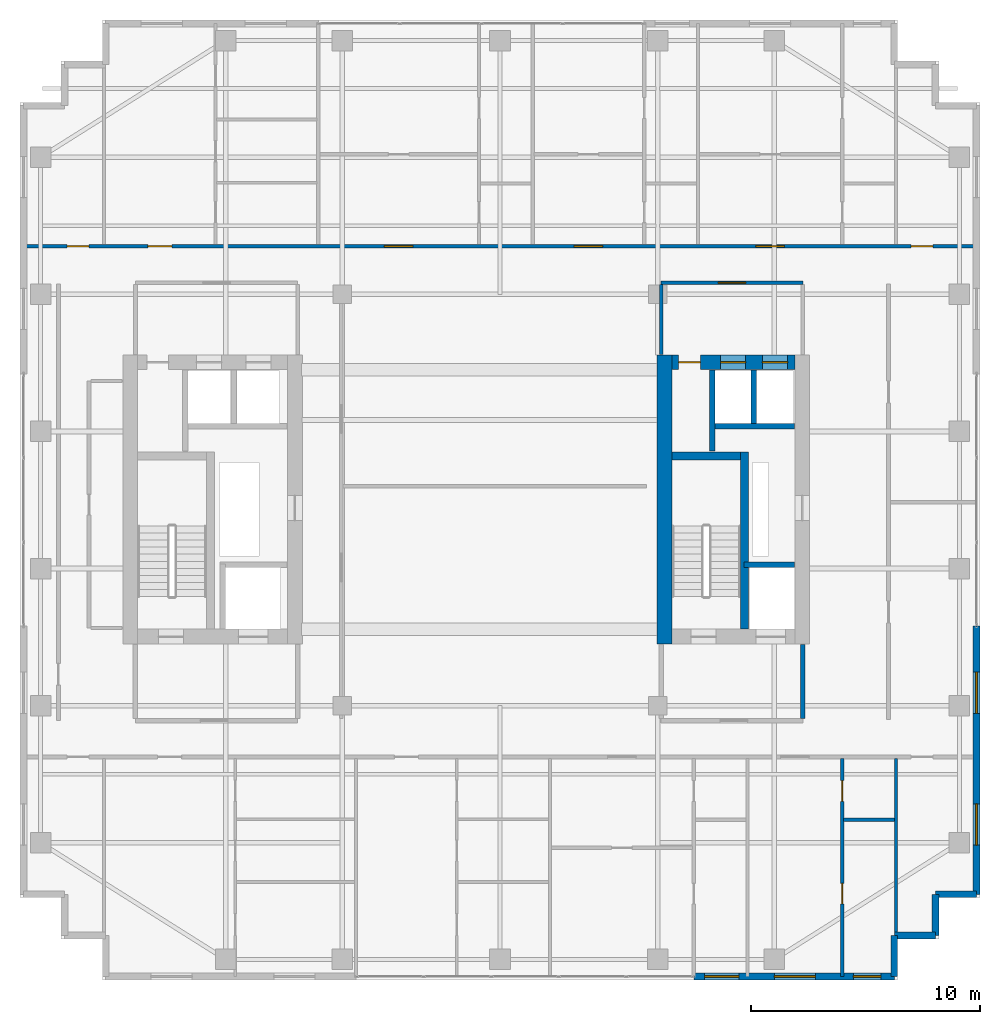
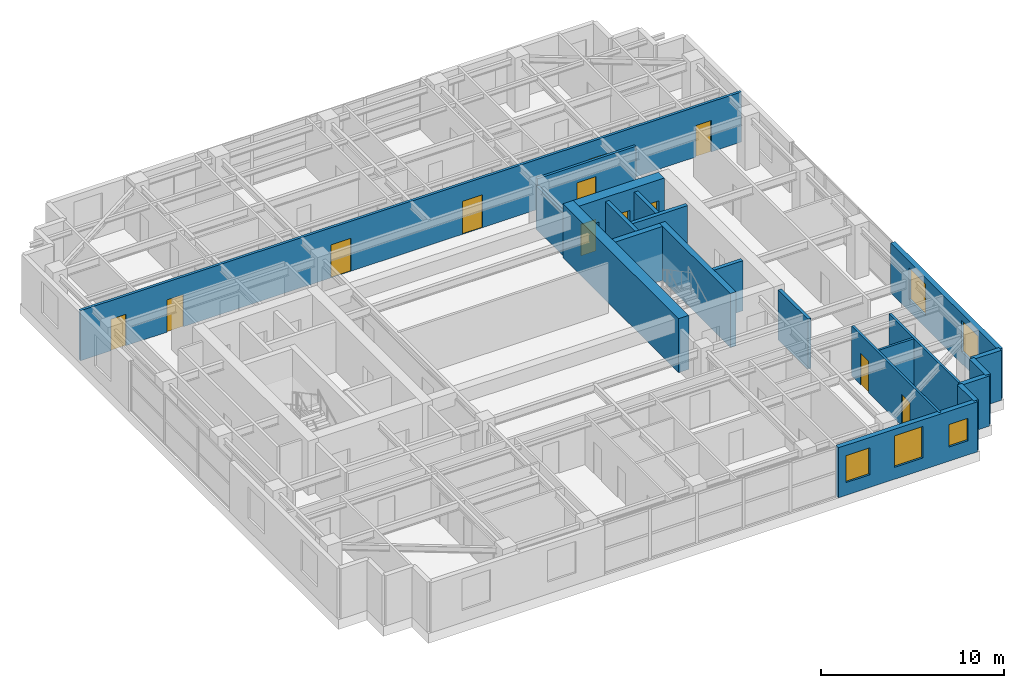
# One storey, part 21 of 24: 21 walls, 12 doors, 5 windows, 17 openings.
"""IFC4 building model written with IfcOpenShell, lengths in metres."""

from ifc_helpers import new_model, si_unit, direction, frame, frame_2d, origin, place, context, subcontext, project, spatial, rectangle, extrude, source, transform, mapped, material, layer, layer_set, type_object, element, fill, save


model = new_model("IFC4")

# Units and contexts
model_context = context("Model", 3, precision=1e-05, world=origin(), true_north=direction((0.0, 1.0)))
body_context = subcontext(model_context, "Body", "Model", "MODEL_VIEW")
ifc_project = project(units=[si_unit("LENGTHUNIT", "METRE"), si_unit("AREAUNIT", "SQUARE_METRE"), si_unit("VOLUMEUNIT", "CUBIC_METRE"), si_unit("PLANEANGLEUNIT", "RADIAN"), si_unit("MASSUNIT", "GRAM", prefix="KILO")], contexts=[model_context])

# Site, building, storey
site_placement = place(None, origin())
site = spatial("IfcSite", under=ifc_project, at=site_placement, CompositionType="ELEMENT")
building_placement = place(site_placement, origin())
building = spatial("IfcBuilding", under=site, at=building_placement, Name="Khoralis Quay Care Tower", CompositionType="ELEMENT")
storey_placement = place(building_placement, frame((0.0, 0.0, 155.699951171875)))
storey = spatial("IfcBuildingStorey", under=building, at=storey_placement, Name="L40", CompositionType="ELEMENT", Elevation=155.699951171875)

# Walls
ifc_material_1 = material(Name="Gypsum plasterboard on acoustic metal stud")
ifc_layer_1 = layer(ifc_material_1, 0.199951171875)
ifc_layer_set_1 = layer_set([ifc_layer_1], Name="Gypsum plasterboard on acoustic metal stud")
wall_type_1 = type_object("IfcWallType", Name="WL-COMP-200", PredefinedType="PARTITIONING", material=ifc_layer_set_1)
wall_1_placement = place(storey_placement, frame((37.25, 11.445068359375, 0.0), z_axis=(0.0, 0.0, 1.0), x_axis=(0.0, 1.0, 0.0)))
element("IfcWall", 1, at=wall_1_placement, inside=storey, type_object=wall_type_1, Name="L40 East Firefighting Lobby East Wall", PredefinedType="PARTITIONING", context=body_context, shape_type="SweptSolid", body=[
    extrude(rectangle(XDim=3.23486328125, YDim=0.199951171875, at=frame_2d((1.617431640625, 0.0))), origin(), (0.0, 0.0, 1.0), 3.340087890625),
])
ifc_material_2 = material(Name="Concrete C65/80", Category="concrete")
ifc_layer_2 = layer(ifc_material_2, 0.64990234375)
ifc_layer_set_2 = layer_set([ifc_layer_2], Name="Concrete C65/80")
wall_type_2 = type_object("IfcWallType", Name="WL-CORE-650", PredefinedType="SHEAR", material=ifc_layer_set_2)
wall_2_placement = place(storey_placement, frame((31.195068359375, 14.699951171875, 0.0), z_axis=(0.0, 0.0, 1.0), x_axis=(0.0, 1.0, 0.0)))
element("IfcWall", 2, at=wall_2_placement, inside=storey, type_object=wall_type_2, Name="L40 ECORE West Shear Wall", PredefinedType="SHEAR", context=body_context, shape_type="SweptSolid", body=[
    extrude(rectangle(XDim=12.650146484375, YDim=0.64990234375, at=frame_2d((6.3251953125, 0.0))), origin(), (0.0, 0.0, 1.0), 3.60009765625),
])

# Wall, openings, doors
wall_3_placement = place(storey_placement, frame((31.52001953125, 27.02490234375, 0.0), z_axis=(0.0, 0.0, 1.0), x_axis=(1.0, 0.0, 0.0)))
wall_3 = element("IfcWall", 3, at=wall_3_placement, inside=storey, type_object=wall_type_2, Name="L40 ECORE North Shear Wall", PredefinedType="SHEAR", context=body_context, shape_type="SweptSolid", body=[
    extrude(rectangle(XDim=5.3798828125, YDim=0.64990234375, at=frame_2d((2.68994140625, 0.0))), origin(), (0.0, 0.0, 1.0), 3.60009765625),
])
opening_1_placement = place(wall_3_placement, frame((0.300048828125, 0.0, 0.0)))
opening_1 = element("IfcOpeningElement", 4, at=opening_1_placement, cuts=wall_3, Name="Opening ID1", PredefinedType="OPENING", context=body_context, shape_type="SweptSolid", body=[
    extrude(rectangle(XDim=0.949951171875, YDim=2.10009765625, at=frame_2d((0.47509765625, 1.050048828125))), frame((0.0, 0.3349609375, 0.0), z_axis=(0.0, -1.0, 0.0), x_axis=(1.0, 0.0, 0.0)), (0.0, 0.0, 1.0), 0.669921875),
])
opening_2_placement = place(wall_3_placement, frame((2.1298828125, 0.0, 0.0)))
opening_2 = element("IfcOpeningElement", 5, at=opening_2_placement, cuts=wall_3, Name="Opening LD1", PredefinedType="OPENING", context=body_context, shape_type="SweptSolid", body=[
    extrude(rectangle(XDim=1.10009765625, YDim=2.199951171875, at=frame_2d((0.550048828125, 1.10009765625))), frame((0.0, 0.3349609375, 0.0), z_axis=(0.0, -1.0, 0.0), x_axis=(1.0, 0.0, 0.0)), (0.0, 0.0, 1.0), 0.669921875),
])
opening_3_placement = place(wall_3_placement, frame((3.9599609375, 0.0, 0.0)))
opening_3 = element("IfcOpeningElement", 6, at=opening_3_placement, cuts=wall_3, Name="Opening LD1", PredefinedType="OPENING", context=body_context, shape_type="SweptSolid", body=[
    extrude(rectangle(XDim=1.10009765625, YDim=2.199951171875, at=frame_2d((0.550048828125, 1.10009765625))), frame((0.0, 0.3349609375, 0.0), z_axis=(0.0, -1.0, 0.0), x_axis=(1.0, 0.0, 0.0)), (0.0, 0.0, 1.0), 0.669921875),
])
ifc_material_3 = material(Name="Brushed stainless steel", Category="steel")
door_type_1 = type_object("IfcDoorType", Name="DR-LIFT-1100X2200", OperationType="SLIDING_TO_LEFT", PredefinedType="DOOR", material=ifc_material_3)
shared_shape_1 = source(origin(), body_context, "Body", "SweptSolid", [
    extrude(rectangle(XDim=1.10009765625, YDim=2.199951171875, at=frame_2d((0.550048828125, 1.10009765625))), frame((0.0, 0.02490234375, 0.0), z_axis=(0.0, -1.0, 0.0), x_axis=(1.0, 0.0, 0.0)), (0.0, 0.0, 1.0), 0.050048828125),
])
door_1_placement = place(opening_2_placement, origin())
door_1 = element("IfcDoor", 7, at=door_1_placement, inside=storey, type_object=door_type_1, Name="L40 Lift PLM2 Landing Door", OperationType="SLIDING_TO_LEFT", OverallHeight=2.199951171875, OverallWidth=1.10009765625, PredefinedType="DOOR", context=body_context, shape_type="MappedRepresentation", body=[
    mapped(shared_shape_1, transform((0.0, 0.0, 0.0), scale=1.0)),
])
fill(opening_2, door_1)
door_2_placement = place(opening_3_placement, origin())
door_2 = element("IfcDoor", 8, at=door_2_placement, inside=storey, type_object=door_type_1, Name="L40 Lift PLH2 Landing Door", OperationType="SLIDING_TO_LEFT", OverallHeight=2.199951171875, OverallWidth=1.10009765625, PredefinedType="DOOR", context=body_context, shape_type="MappedRepresentation", body=[
    mapped(shared_shape_1, transform((0.0, 0.0, 0.0), scale=1.0)),
])
fill(opening_3, door_2)
ifc_material_4 = material(Name="Acoustic hardwood timber", Category="wood")
door_type_2 = type_object("IfcDoorType", Name="DR-ROOM-950X2100", OperationType="NOTDEFINED", PredefinedType="DOOR", material=ifc_material_4)
shared_shape_2 = source(origin(), body_context, "Body", "SweptSolid", [
    extrude(rectangle(XDim=0.949951171875, YDim=2.10009765625, at=frame_2d((0.47509765625, 1.050048828125))), frame((0.0, 0.02490234375, 0.0), z_axis=(0.0, -1.0, 0.0), x_axis=(1.0, 0.0, 0.0)), (0.0, 0.0, 1.0), 0.050048828125),
])
door_3_placement = place(opening_1_placement, frame((0.949951171875, 0.0, 0.0), z_axis=(0.0, 0.0, 1.0), x_axis=(-1.0, 0.0, 0.0)))
door_3 = element("IfcDoor", 9, at=door_3_placement, inside=storey, type_object=door_type_2, Name="L40 Nutrition Pantry Door", OperationType="SINGLE_SWING_LEFT", OverallHeight=2.10009765625, OverallWidth=0.949951171875, PredefinedType="DOOR", context=body_context, shape_type="MappedRepresentation", body=[
    mapped(shared_shape_2, transform((0.0, 0.0, 0.0), scale=1.0)),
])
fill(opening_1, door_3)

# Wall, opening, door
ifc_layer_3 = layer(ifc_material_1, 0.1650390625)
ifc_layer_set_3 = layer_set([ifc_layer_3], Name="Gypsum plasterboard on acoustic metal stud")
wall_type_3 = type_object("IfcWallType", Name="WL-CORR-165", PredefinedType="PARTITIONING", material=ifc_layer_set_3)
wall_4_placement = place(storey_placement, frame((31.050048828125, 30.5, 0.0), z_axis=(0.0, 0.0, 1.0), x_axis=(1.0, 0.0, 0.0)))
wall_4 = element("IfcWall", 10, at=wall_4_placement, inside=storey, type_object=wall_type_3, Name="L40 East Lift Lobby North Wall", PredefinedType="PARTITIONING", context=body_context, shape_type="SweptSolid", body=[
    extrude(rectangle(XDim=6.199951171875, YDim=0.1650390625, at=frame_2d((3.10009765625, 0.0))), origin(), (0.0, 0.0, 1.0), 3.340087890625),
])
opening_4_placement = place(wall_4_placement, frame((2.5, 0.0, 0.0)))
opening_4 = element("IfcOpeningElement", 11, at=opening_4_placement, cuts=wall_4, Name="Opening FD1", PredefinedType="OPENING", context=body_context, shape_type="SweptSolid", body=[
    extrude(rectangle(XDim=1.199951171875, YDim=2.199951171875, at=frame_2d((0.60009765625, 1.10009765625))), frame((0.0, 0.092529296875, 0.0), z_axis=(0.0, -1.0, 0.0), x_axis=(1.0, 0.0, 0.0)), (0.0, 0.0, 1.0), 0.18505859375),
])
ifc_material_5 = material(Name="Fire-rated painted steel", Category="steel")
door_type_3 = type_object("IfcDoorType", Name="DR-FFL-1200X2200", OperationType="NOTDEFINED", PredefinedType="DOOR", material=ifc_material_5)
shared_shape_3 = source(origin(), body_context, "Body", "SweptSolid", [
    extrude(rectangle(XDim=1.199951171875, YDim=2.199951171875, at=frame_2d((0.60009765625, 1.10009765625))), frame((0.0, 0.02490234375, 0.0), z_axis=(0.0, -1.0, 0.0), x_axis=(1.0, 0.0, 0.0)), (0.0, 0.0, 1.0), 0.050048828125),
])
door_4_placement = place(opening_4_placement, origin())
door_4 = element("IfcDoor", 12, at=door_4_placement, inside=storey, type_object=door_type_3, Name="L40 East Lift Lobby Double Door", OperationType="DOUBLE_DOOR_SINGLE_SWING", OverallHeight=2.199951171875, OverallWidth=1.199951171875, PredefinedType="DOOR", context=body_context, shape_type="MappedRepresentation", body=[
    mapped(shared_shape_3, transform((0.0, 0.0, 0.0), scale=1.0)),
])
fill(opening_4, door_4)

# Wall
wall_5_placement = place(storey_placement, frame((31.050048828125, 27.3701171875, 0.0), z_axis=(0.0, 0.0, 1.0), x_axis=(0.0, 1.0, 0.0)))
element("IfcWall", 13, at=wall_5_placement, inside=storey, type_object=wall_type_3, Name="L40 East Lift Lobby West Wall", PredefinedType="PARTITIONING", context=body_context, shape_type="SweptSolid", body=[
    extrude(rectangle(XDim=3.052490234375, YDim=0.1650390625, at=frame_2d((1.5263671875, 0.0))), origin(), (0.0, 0.0, 1.0), 2.876953125),
])

# Wall, openings, doors
wall_6_placement = place(storey_placement, frame((3.14501953125, 32.10009765625, 0.0), z_axis=(0.0, 0.0, 1.0), x_axis=(1.0, 0.0, 0.0)))
wall_6 = element("IfcWall", 14, at=wall_6_placement, inside=storey, type_object=wall_type_3, Name="L40 North Main Corridor Wall", PredefinedType="PARTITIONING", context=body_context, shape_type="SweptSolid", body=[
    extrude(rectangle(XDim=41.7099609375, YDim=0.1650390625, at=frame_2d((20.85498046875, 0.0))), origin(), (0.0, 0.0, 1.0), 3.340087890625),
])
opening_5_placement = place(wall_6_placement, frame((5.446044921875, 0.0, 0.0)))
opening_5 = element("IfcOpeningElement", 15, at=opening_5_placement, cuts=wall_6, Name="Opening UD1", PredefinedType="OPENING", context=body_context, shape_type="SweptSolid", body=[
    extrude(rectangle(XDim=1.050048828125, YDim=2.14990234375, at=frame_2d((0.52490234375, 1.074951171875))), frame((0.0, 0.092529296875, 0.0), z_axis=(0.0, -1.0, 0.0), x_axis=(1.0, 0.0, 0.0)), (0.0, 0.0, 1.0), 0.18505859375),
])
opening_6_placement = place(wall_6_placement, frame((15.794921875, 0.0, 0.0)))
opening_6 = element("IfcOpeningElement", 16, at=opening_6_placement, cuts=wall_6, Name="Opening CD1", PredefinedType="OPENING", context=body_context, shape_type="SweptSolid", body=[
    extrude(rectangle(XDim=1.25, YDim=2.199951171875, at=frame_2d((0.625, 1.10009765625))), frame((0.0, 0.092529296875, 0.0), z_axis=(0.0, -1.0, 0.0), x_axis=(1.0, 0.0, 0.0)), (0.0, 0.0, 1.0), 0.18505859375),
])
opening_7_placement = place(wall_6_placement, frame((24.10009765625, 0.0, 0.0)))
opening_7 = element("IfcOpeningElement", 17, at=opening_7_placement, cuts=wall_6, Name="Opening CD1", PredefinedType="OPENING", context=body_context, shape_type="SweptSolid", body=[
    extrude(rectangle(XDim=1.25, YDim=2.199951171875, at=frame_2d((0.625, 1.10009765625))), frame((0.0, 0.092529296875, 0.0), z_axis=(0.0, -1.0, 0.0), x_axis=(1.0, 0.0, 0.0)), (0.0, 0.0, 1.0), 0.18505859375),
])
opening_8_placement = place(wall_6_placement, frame((32.044921875, 0.0, 0.0)))
opening_8 = element("IfcOpeningElement", 18, at=opening_8_placement, cuts=wall_6, Name="Opening CD1", PredefinedType="OPENING", context=body_context, shape_type="SweptSolid", body=[
    extrude(rectangle(XDim=1.25, YDim=2.199951171875, at=frame_2d((0.625, 1.10009765625))), frame((0.0, 0.092529296875, 0.0), z_axis=(0.0, -1.0, 0.0), x_axis=(1.0, 0.0, 0.0)), (0.0, 0.0, 1.0), 0.18505859375),
])
opening_9_placement = place(wall_6_placement, frame((1.919921875, 0.0, 0.0)))
opening_9 = element("IfcOpeningElement", 19, at=opening_9_placement, cuts=wall_6, Name="Opening ID1", PredefinedType="OPENING", context=body_context, shape_type="SweptSolid", body=[
    extrude(rectangle(XDim=0.949951171875, YDim=2.10009765625, at=frame_2d((0.47509765625, 1.050048828125))), frame((0.0, 0.092529296875, 0.0), z_axis=(0.0, -1.0, 0.0), x_axis=(1.0, 0.0, 0.0)), (0.0, 0.0, 1.0), 0.18505859375),
])
opening_10_placement = place(wall_6_placement, frame((38.840087890625, 0.0, 0.0)))
opening_10 = element("IfcOpeningElement", 20, at=opening_10_placement, cuts=wall_6, Name="Opening ID1", PredefinedType="OPENING", context=body_context, shape_type="SweptSolid", body=[
    extrude(rectangle(XDim=0.949951171875, YDim=2.10009765625, at=frame_2d((0.47509765625, 1.050048828125))), frame((0.0, 0.092529296875, 0.0), z_axis=(0.0, -1.0, 0.0), x_axis=(1.0, 0.0, 0.0)), (0.0, 0.0, 1.0), 0.18505859375),
])
door_type_4 = type_object("IfcDoorType", Name="DR-CARE-1250X2200", OperationType="NOTDEFINED", PredefinedType="DOOR", material=ifc_material_4)
shared_shape_4 = source(origin(), body_context, "Body", "SweptSolid", [
    extrude(rectangle(XDim=1.25, YDim=2.199951171875, at=frame_2d((0.625, 1.10009765625))), frame((0.0, 0.02490234375, 0.0), z_axis=(0.0, -1.0, 0.0), x_axis=(1.0, 0.0, 0.0)), (0.0, 0.0, 1.0), 0.050048828125),
])
door_5_placement = place(opening_6_placement, origin())
door_5 = element("IfcDoor", 21, at=door_5_placement, inside=storey, type_object=door_type_4, Name="L40 Care Suite NB1 Clinical Door", OperationType="SINGLE_SWING_LEFT", OverallHeight=2.199951171875, OverallWidth=1.25, PredefinedType="DOOR", context=body_context, shape_type="MappedRepresentation", body=[
    mapped(shared_shape_4, transform((0.0, 0.0, 0.0), scale=1.0)),
])
fill(opening_6, door_5)
door_6_placement = place(opening_7_placement, origin())
door_6 = element("IfcDoor", 22, at=door_6_placement, inside=storey, type_object=door_type_4, Name="L40 Care Suite NB2 Clinical Door", OperationType="SINGLE_SWING_RIGHT", OverallHeight=2.199951171875, OverallWidth=1.25, PredefinedType="DOOR", context=body_context, shape_type="MappedRepresentation", body=[
    mapped(shared_shape_4, transform((0.0, 0.0, 0.0), scale=1.0)),
])
fill(opening_7, door_6)
door_7_placement = place(opening_8_placement, origin())
door_7 = element("IfcDoor", 23, at=door_7_placement, inside=storey, type_object=door_type_4, Name="L40 Care Suite NB3 Clinical Door", OperationType="SINGLE_SWING_LEFT", OverallHeight=2.199951171875, OverallWidth=1.25, PredefinedType="DOOR", context=body_context, shape_type="MappedRepresentation", body=[
    mapped(shared_shape_4, transform((0.0, 0.0, 0.0), scale=1.0)),
])
fill(opening_8, door_7)
door_8_placement = place(opening_9_placement, origin())
door_8 = element("IfcDoor", 24, at=door_8_placement, inside=storey, type_object=door_type_2, Name="L40 NW Corner Door", OperationType="SINGLE_SWING_RIGHT", OverallHeight=2.10009765625, OverallWidth=0.949951171875, PredefinedType="DOOR", context=body_context, shape_type="MappedRepresentation", body=[
    mapped(shared_shape_2, transform((0.0, 0.0, 0.0), scale=1.0)),
])
fill(opening_9, door_8)
door_9_placement = place(opening_10_placement, origin())
door_9 = element("IfcDoor", 25, at=door_9_placement, inside=storey, type_object=door_type_2, Name="L40 NE Corner Door", OperationType="SINGLE_SWING_LEFT", OverallHeight=2.10009765625, OverallWidth=0.949951171875, PredefinedType="DOOR", context=body_context, shape_type="MappedRepresentation", body=[
    mapped(shared_shape_2, transform((0.0, 0.0, 0.0), scale=1.0)),
])
fill(opening_10, door_9)
door_type_5 = type_object("IfcDoorType", Name="DR-SUITE-1050X2150", OperationType="NOTDEFINED", PredefinedType="DOOR", material=ifc_material_4)
shared_shape_5 = source(origin(), body_context, "Body", "SweptSolid", [
    extrude(rectangle(XDim=1.050048828125, YDim=2.14990234375, at=frame_2d((0.52490234375, 1.074951171875))), frame((0.0, 0.02490234375, 0.0), z_axis=(0.0, -1.0, 0.0), x_axis=(1.0, 0.0, 0.0)), (0.0, 0.0, 1.0), 0.050048828125),
])
door_10_placement = place(opening_5_placement, origin())
door_10 = element("IfcDoor", 26, at=door_10_placement, inside=storey, type_object=door_type_5, Name="L40 Apartment NB0 Entrance Door", OperationType="SINGLE_SWING_RIGHT", OverallHeight=2.14990234375, OverallWidth=1.050048828125, PredefinedType="DOOR", context=body_context, shape_type="MappedRepresentation", body=[
    mapped(shared_shape_5, transform((0.0, 0.0, 0.0), scale=1.0)),
])
fill(opening_5, door_10)

# Wall, openings, windows
ifc_material_6 = material(Name="Precast concrete C45/55", Category="concrete")
ifc_layer_4 = layer(ifc_material_6, 0.300048828125)
ifc_layer_set_4 = layer_set([ifc_layer_4], Name="Precast concrete C45/55")
wall_type_4 = type_object("IfcWallType", Name="WL-EXT-REF-300", PredefinedType="SOLIDWALL", material=ifc_layer_set_4)
wall_7_placement = place(storey_placement, frame((32.47998046875, 0.14990234375, 0.0), z_axis=(0.0, 0.0, 1.0), x_axis=(1.0, 0.0, 0.0)))
wall_7 = element("IfcWall", 27, at=wall_7_placement, inside=storey, type_object=wall_type_4, Name="L40 External Facade Wall WL-EXT-L40-P1-E0B", PredefinedType="SOLIDWALL", context=body_context, shape_type="SweptSolid", body=[
    extrude(rectangle(XDim=8.77001953125, YDim=0.300048828125, at=frame_2d((4.385009765625, 0.0))), origin(), (0.0, 0.0, 1.0), 3.340087890625),
])
opening_11_placement = place(wall_7_placement, frame((0.47509765625, 0.0, 0.85009765625)))
opening_11 = element("IfcOpeningElement", 28, at=opening_11_placement, cuts=wall_7, Name="Opening W3", PredefinedType="OPENING", context=body_context, shape_type="SweptSolid", body=[
    extrude(rectangle(XDim=1.5, YDim=1.800048828125, at=frame_2d((0.75, 0.89990234375))), frame((0.0, 0.16015625, 0.0), z_axis=(0.0, -1.0, 0.0), x_axis=(1.0, 0.0, 0.0)), (0.0, 0.0, 1.0), 0.320068359375),
])
opening_12_placement = place(wall_7_placement, frame((3.52001953125, 0.0, 0.800048828125)))
opening_12 = element("IfcOpeningElement", 29, at=opening_12_placement, cuts=wall_7, Name="Opening W2", PredefinedType="OPENING", context=body_context, shape_type="SweptSolid", body=[
    extrude(rectangle(XDim=1.800048828125, YDim=2.10009765625, at=frame_2d((0.89990234375, 1.050048828125))), frame((0.0, 0.16015625, 0.0), z_axis=(0.0, -1.0, 0.0), x_axis=(1.0, 0.0, 0.0)), (0.0, 0.0, 1.0), 0.320068359375),
])
opening_13_placement = place(wall_7_placement, frame((6.97998046875, 0.0, 0.949951171875)))
opening_13 = element("IfcOpeningElement", 30, at=opening_13_placement, cuts=wall_7, Name="Opening W6", PredefinedType="OPENING", context=body_context, shape_type="SweptSolid", body=[
    extrude(rectangle(XDim=1.199951171875, YDim=1.5, at=frame_2d((0.60009765625, 0.75))), frame((0.0, 0.16015625, 0.0), z_axis=(0.0, -1.0, 0.0), x_axis=(1.0, 0.0, 0.0)), (0.0, 0.0, 1.0), 0.320068359375),
])
ifc_material_7 = material(Name="Low-E solar-control double glazing", Category="glass")
window_type_1 = type_object("IfcWindowType", Name="WN-CLIN-1500X1800", PartitioningType="SINGLE_PANEL", PredefinedType="WINDOW", material=ifc_material_7)
shared_shape_6 = source(origin(), body_context, "Body", "SweptSolid", [
    extrude(rectangle(XDim=1.5, YDim=1.800048828125, at=frame_2d((0.75, 0.89990234375))), frame((0.0, 0.030029296875, 0.0), z_axis=(0.0, -1.0, 0.0), x_axis=(1.0, 0.0, 0.0)), (0.0, 0.0, 1.0), 0.06005859375),
])
window_1_placement = place(opening_11_placement, origin())
window_1 = element("IfcWindow", 31, at=window_1_placement, inside=storey, type_object=window_type_1, Name="WN-L40-P1-E0B Facade Window 01", OverallHeight=1.800048828125, OverallWidth=1.5, PartitioningType="SINGLE_PANEL", PredefinedType="WINDOW", context=body_context, shape_type="MappedRepresentation", body=[
    mapped(shared_shape_6, transform((0.0, 0.0, 0.0), scale=1.0)),
])
fill(opening_11, window_1)
window_type_2 = type_object("IfcWindowType", Name="WN-SCH-1200X1500", PartitioningType="SINGLE_PANEL", PredefinedType="WINDOW", material=ifc_material_7)
shared_shape_7 = source(origin(), body_context, "Body", "SweptSolid", [
    extrude(rectangle(XDim=1.199951171875, YDim=1.5, at=frame_2d((0.60009765625, 0.75))), frame((0.0, 0.030029296875, 0.0), z_axis=(0.0, -1.0, 0.0), x_axis=(1.0, 0.0, 0.0)), (0.0, 0.0, 1.0), 0.06005859375),
])
window_2_placement = place(opening_13_placement, origin())
window_2 = element("IfcWindow", 32, at=window_2_placement, inside=storey, type_object=window_type_2, Name="WN-L40-P1-E0B Facade Window 03", OverallHeight=1.5, OverallWidth=1.199951171875, PartitioningType="SINGLE_PANEL", PredefinedType="WINDOW", context=body_context, shape_type="MappedRepresentation", body=[
    mapped(shared_shape_7, transform((0.0, 0.0, 0.0), scale=1.0)),
])
fill(opening_13, window_2)
window_type_3 = type_object("IfcWindowType", Name="WN-POD-1800X2100", PartitioningType="SINGLE_PANEL", PredefinedType="WINDOW", material=ifc_material_7)
shared_shape_8 = source(origin(), body_context, "Body", "SweptSolid", [
    extrude(rectangle(XDim=1.800048828125, YDim=2.10009765625, at=frame_2d((0.89990234375, 1.050048828125))), frame((0.0, 0.030029296875, 0.0), z_axis=(0.0, -1.0, 0.0), x_axis=(1.0, 0.0, 0.0)), (0.0, 0.0, 1.0), 0.06005859375),
])
window_3_placement = place(opening_12_placement, origin())
window_3 = element("IfcWindow", 33, at=window_3_placement, inside=storey, type_object=window_type_3, Name="WN-L40-P1-E0B Facade Window 02", OverallHeight=2.10009765625, OverallWidth=1.800048828125, PartitioningType="SINGLE_PANEL", PredefinedType="WINDOW", context=body_context, shape_type="MappedRepresentation", body=[
    mapped(shared_shape_8, transform((0.0, 0.0, 0.0), scale=1.0)),
])
fill(opening_12, window_3)

# Walls
for number, where, z_axis, x_axis, name in (
    (34, (41.25, 0.14990234375, 0.0), (0.0, 0.0, 1.0), (0.0, 1.0, 0.0), "L40 External Facade Wall WL-EXT-L40-P1-C1"),
    (35, (41.25, 1.949951171875, 0.0), (0.0, 0.0, 1.0), (1.0, 0.0, 0.0), "L40 External Facade Wall WL-EXT-L40-P1-C2"),
    (36, (43.050048828125, 1.949951171875, 0.0), (0.0, 0.0, 1.0), (0.0, 1.0, 0.0), "L40 External Facade Wall WL-EXT-L40-P1-C3"),
    (37, (43.050048828125, 3.75, 0.0), (0.0, 0.0, 1.0), (1.0, 0.0, 0.0), "L40 External Facade Wall WL-EXT-L40-P1-C4"),
):
    element("IfcWall", number, at=place(storey_placement, frame(where, z_axis=z_axis, x_axis=x_axis)), inside=storey, type_object=wall_type_4, Name=name, PredefinedType="SOLIDWALL", context=body_context, shape_type="SweptSolid", body=[
        extrude(rectangle(XDim=1.800048828125, YDim=0.300048828125, at=frame_2d((0.89990234375, 0.0))), origin(), (0.0, 0.0, 1.0), 3.340087890625),
    ])

# Wall, openings, windows
wall_8_placement = place(storey_placement, frame((44.85009765625, 3.75, 0.0), z_axis=(0.0, 0.0, 1.0), x_axis=(0.0, 1.0, 0.0)))
wall_8 = element("IfcWall", 38, at=wall_8_placement, inside=storey, type_object=wall_type_4, Name="L40 External Facade Wall WL-EXT-L40-P1-E5A", PredefinedType="SOLIDWALL", context=body_context, shape_type="SweptSolid", body=[
    extrude(rectangle(XDim=11.72998046875, YDim=0.300048828125, at=frame_2d((5.864990234375, 0.0))), origin(), (0.0, 0.0, 1.0), 3.340087890625),
])
opening_14_placement = place(wall_8_placement, frame((2.155029296875, 0.0, 0.800048828125)))
opening_14 = element("IfcOpeningElement", 39, at=opening_14_placement, cuts=wall_8, Name="Opening W2", PredefinedType="OPENING", context=body_context, shape_type="SweptSolid", body=[
    extrude(rectangle(XDim=1.800048828125, YDim=2.10009765625, at=frame_2d((0.89990234375, 1.050048828125))), frame((0.0, 0.16015625, 0.0), z_axis=(0.0, -1.0, 0.0), x_axis=(1.0, 0.0, 0.0)), (0.0, 0.0, 1.0), 0.320068359375),
])
opening_15_placement = place(wall_8_placement, frame((7.919921875, 0.0, 0.800048828125)))
opening_15 = element("IfcOpeningElement", 40, at=opening_15_placement, cuts=wall_8, Name="Opening W2", PredefinedType="OPENING", context=body_context, shape_type="SweptSolid", body=[
    extrude(rectangle(XDim=1.800048828125, YDim=2.10009765625, at=frame_2d((0.89990234375, 1.050048828125))), frame((0.0, 0.16015625, 0.0), z_axis=(0.0, -1.0, 0.0), x_axis=(1.0, 0.0, 0.0)), (0.0, 0.0, 1.0), 0.320068359375),
])
window_4_placement = place(opening_14_placement, origin())
window_4 = element("IfcWindow", 41, at=window_4_placement, inside=storey, type_object=window_type_3, Name="WN-L40-P1-E5A Facade Window 01", OverallHeight=2.10009765625, OverallWidth=1.800048828125, PartitioningType="SINGLE_PANEL", PredefinedType="WINDOW", context=body_context, shape_type="MappedRepresentation", body=[
    mapped(shared_shape_8, transform((0.0, 0.0, 0.0), scale=1.0)),
])
fill(opening_14, window_4)
window_5_placement = place(opening_15_placement, origin())
window_5 = element("IfcWindow", 42, at=window_5_placement, inside=storey, type_object=window_type_3, Name="WN-L40-P1-E5A Facade Window 02", OverallHeight=2.10009765625, OverallWidth=1.800048828125, PartitioningType="SINGLE_PANEL", PredefinedType="WINDOW", context=body_context, shape_type="MappedRepresentation", body=[
    mapped(shared_shape_8, transform((0.0, 0.0, 0.0), scale=1.0)),
])
fill(opening_15, window_5)

# Wall, openings, doors
ifc_material_8 = material(Name="Moisture-resistant gypsum and ceramic tile")
ifc_layer_5 = layer(ifc_material_8, 0.280029296875)
ifc_layer_set_5 = layer_set([ifc_layer_5], Name="Moisture-resistant gypsum and ceramic tile")
wall_type_5 = type_object("IfcWallType", Name="WL-PLUMB-280", PredefinedType="PLUMBINGWALL", material=ifc_layer_set_5)
wall_9_placement = place(storey_placement, frame((38.969970703125, 0.14501953125, 0.0), z_axis=(0.0, 0.0, 1.0), x_axis=(0.0, 1.0, 0.0)))
wall_9 = element("IfcWall", 43, at=wall_9_placement, inside=storey, type_object=wall_type_5, Name="L40 Care Suite 3 En-Suite Wall V", PredefinedType="PLUMBINGWALL", context=body_context, shape_type="SweptSolid", body=[
    extrude(rectangle(XDim=9.53759765625, YDim=0.139892578125, at=frame_2d((4.768798828125, 0.0))), origin(), (0.0, 0.0, 1.0), 3.340087890625),
])
opening_16_placement = place(wall_9_placement, frame((7.675048828125, 0.0, 0.0)))
opening_16 = element("IfcOpeningElement", 44, at=opening_16_placement, cuts=wall_9, Name="Opening WD1", PredefinedType="OPENING", context=body_context, shape_type="SweptSolid", body=[
    extrude(rectangle(XDim=0.89990234375, YDim=2.10009765625, at=frame_2d((0.449951171875, 1.050048828125))), frame((0.0, 0.080078125, 0.0), z_axis=(0.0, -1.0, 0.0), x_axis=(1.0, 0.0, 0.0)), (0.0, 0.0, 1.0), 0.159912109375),
])
opening_17_placement = place(wall_9_placement, frame((3.18505859375, 0.0, 0.0)))
opening_17 = element("IfcOpeningElement", 45, at=opening_17_placement, cuts=wall_9, Name="Opening WD1", PredefinedType="OPENING", context=body_context, shape_type="SweptSolid", body=[
    extrude(rectangle(XDim=0.89990234375, YDim=2.10009765625, at=frame_2d((0.449951171875, 1.050048828125))), frame((0.0, 0.080078125, 0.0), z_axis=(0.0, -1.0, 0.0), x_axis=(1.0, 0.0, 0.0)), (0.0, 0.0, 1.0), 0.159912109375),
])
door_type_6 = type_object("IfcDoorType", Name="DR-BATH-900X2100", OperationType="NOTDEFINED", PredefinedType="DOOR", material=ifc_material_4)
shared_shape_9 = source(origin(), body_context, "Body", "SweptSolid", [
    extrude(rectangle(XDim=0.89990234375, YDim=2.10009765625, at=frame_2d((0.449951171875, 1.050048828125))), frame((0.0, 0.02490234375, 0.0), z_axis=(0.0, -1.0, 0.0), x_axis=(1.0, 0.0, 0.0)), (0.0, 0.0, 1.0), 0.050048828125),
])
door_11_placement = place(opening_16_placement, frame((0.89990234375, 0.0, 0.0), z_axis=(0.0, 0.0, 1.0), x_axis=(-1.0, 0.0, 0.0)))
door_11 = element("IfcDoor", 46, at=door_11_placement, inside=storey, type_object=door_type_6, Name="L40 Care CENS Door", OperationType="SINGLE_SWING_RIGHT", OverallHeight=2.10009765625, OverallWidth=0.89990234375, PredefinedType="DOOR", context=body_context, shape_type="MappedRepresentation", body=[
    mapped(shared_shape_9, transform((0.0, 0.0, 0.0), scale=1.0)),
])
fill(opening_16, door_11)
door_12_placement = place(opening_17_placement, frame((0.89990234375, 0.0, 0.0), z_axis=(0.0, 0.0, 1.0), x_axis=(-1.0, 0.0, 0.0)))
door_12 = element("IfcDoor", 47, at=door_12_placement, inside=storey, type_object=door_type_6, Name="L40 Care CSIT Door", OperationType="SINGLE_SWING_LEFT", OverallHeight=2.10009765625, OverallWidth=0.89990234375, PredefinedType="DOOR", context=body_context, shape_type="MappedRepresentation", body=[
    mapped(shared_shape_9, transform((0.0, 0.0, 0.0), scale=1.0)),
])
fill(opening_17, door_12)

# Walls
wall_10_placement = place(storey_placement, frame((39.034912109375, 7.010009765625, 0.0), z_axis=(0.0, 0.0, 1.0), x_axis=(1.0, 0.0, 0.0)))
element("IfcWall", 48, at=wall_10_placement, inside=storey, type_object=wall_type_5, Name="L40 Care Suite 3 En-Suite Wall H", PredefinedType="PLUMBINGWALL", context=body_context, shape_type="SweptSolid", body=[
    extrude(rectangle(XDim=2.219970703125, YDim=0.139892578125, at=frame_2d((1.10986328125, 0.0))), origin(), (0.0, 0.0, 1.0), 3.340087890625),
])
ifc_material_9 = material(Name="Concrete C40/50", Category="concrete")
ifc_layer_6 = layer(ifc_material_9, 0.35009765625)
ifc_layer_set_6 = layer_set([ifc_layer_6], Name="Concrete C40/50")
wall_type_6 = type_object("IfcWallType", Name="WL-SC-CORE-350", PredefinedType="SHEAR", material=ifc_layer_set_6)
wall_11_placement = place(storey_placement, frame((34.695068359375, 15.35009765625, 0.0), z_axis=(0.0, 0.0, 1.0), x_axis=(0.0, 1.0, 0.0)))
element("IfcWall", 49, at=wall_11_placement, inside=storey, type_object=wall_type_6, Name="L40 Stair ST-T2 Shear Baffle Wall East", PredefinedType="SHEAR", context=body_context, shape_type="SweptSolid", body=[
    extrude(rectangle(XDim=7.75, YDim=0.35009765625, at=frame_2d((3.875, 0.0))), origin(), (0.0, 0.0, 1.0), 3.60009765625),
])
wall_12_placement = place(storey_placement, frame((31.52001953125, 22.925048828125, 0.0), z_axis=(0.0, 0.0, 1.0), x_axis=(1.0, 0.0, 0.0)))
element("IfcWall", 50, at=wall_12_placement, inside=storey, type_object=wall_type_6, Name="L40 Stair ST-T2 Shear Baffle Wall North", PredefinedType="SHEAR", context=body_context, shape_type="SweptSolid", body=[
    extrude(rectangle(XDim=3.0, YDim=0.35009765625, at=frame_2d((1.5, 0.0))), origin(), (0.0, 0.0, 1.0), 3.60009765625),
])
ifc_layer_7 = layer(ifc_material_1, 0.239990234375)
ifc_layer_set_7 = layer_set([ifc_layer_7], Name="Gypsum plasterboard on acoustic metal stud")
wall_type_7 = type_object("IfcWallType", Name="WL-SHAFT-240", PredefinedType="PARTITIONING", material=ifc_layer_set_7)
wall_13_placement = place(storey_placement, frame((34.679931640625, 18.169921875, 0.0), z_axis=(0.0, 0.0, 1.0), x_axis=(1.0, 0.0, 0.0)))
element("IfcWall", 51, at=wall_13_placement, inside=storey, type_object=wall_type_7, Name="L40 FFL-2 Shaft Wall North", PredefinedType="PARTITIONING", context=body_context, shape_type="SweptSolid", body=[
    extrude(rectangle(XDim=2.199951171875, YDim=0.239990234375, at=frame_2d((1.10009765625, 0.0))), origin(), (0.0, 0.0, 1.0), 3.340087890625),
])
wall_14_placement = place(storey_placement, frame((33.2900390625, 23.139892578125, 0.0), z_axis=(0.0, 0.0, 1.0), x_axis=(0.0, 1.0, 0.0)))
element("IfcWall", 52, at=wall_14_placement, inside=storey, type_object=wall_type_7, Name="L40 Reclaimed Bay Divider East", PredefinedType="PARTITIONING", context=body_context, shape_type="SweptSolid", body=[
    extrude(rectangle(XDim=3.5400390625, YDim=0.239990234375, at=frame_2d((1.77001953125, 0.0))), origin(), (0.0, 0.0, 1.0), 3.340087890625),
])
wall_15_placement = place(storey_placement, frame((33.405029296875, 24.22998046875, 0.0), z_axis=(0.0, 0.0, 1.0), x_axis=(1.0, 0.0, 0.0)))
element("IfcWall", 53, at=wall_15_placement, inside=storey, type_object=wall_type_7, Name="L40 Active Shaft South Wall East", PredefinedType="PARTITIONING", context=body_context, shape_type="SweptSolid", body=[
    extrude(rectangle(XDim=3.474853515625, YDim=0.239990234375, at=frame_2d((1.7373046875, 0.0))), origin(), (0.0, 0.0, 1.0), 3.340087890625),
])
wall_16_placement = place(storey_placement, frame((35.110107421875, 24.344970703125, 0.0), z_axis=(0.0, 0.0, 1.0), x_axis=(0.0, 1.0, 0.0)))
element("IfcWall", 54, at=wall_16_placement, inside=storey, type_object=wall_type_7, Name="L40 East Shaft Divider 2", PredefinedType="PARTITIONING", context=body_context, shape_type="SweptSolid", body=[
    extrude(rectangle(XDim=2.3349609375, YDim=0.239990234375, at=frame_2d((1.16748046875, 0.0))), origin(), (0.0, 0.0, 1.0), 3.340087890625),
])
ifc_layer_8 = layer(ifc_material_1, 0.139892578125)
ifc_layer_set_8 = layer_set([ifc_layer_8], Name="Gypsum plasterboard on acoustic metal stud")
wall_type_8 = type_object("IfcWallType", Name="WL-UNIT-140", PredefinedType="PARTITIONING", material=ifc_layer_set_8)
wall_17_placement = place(storey_placement, frame((41.320068359375, 1.945068359375, 0.0), z_axis=(0.0, 0.0, 1.0), x_axis=(0.0, 1.0, 0.0)))
element("IfcWall", 55, at=wall_17_placement, inside=storey, type_object=wall_type_8, Name="L40 SB Demising Wall 4", PredefinedType="PARTITIONING", context=body_context, shape_type="SweptSolid", body=[
    extrude(rectangle(XDim=7.737548828125, YDim=0.139892578125, at=frame_2d((3.86865234375, 0.0))), origin(), (0.0, 0.0, 1.0), 3.340087890625),
])

save(model, "model.ifc")
